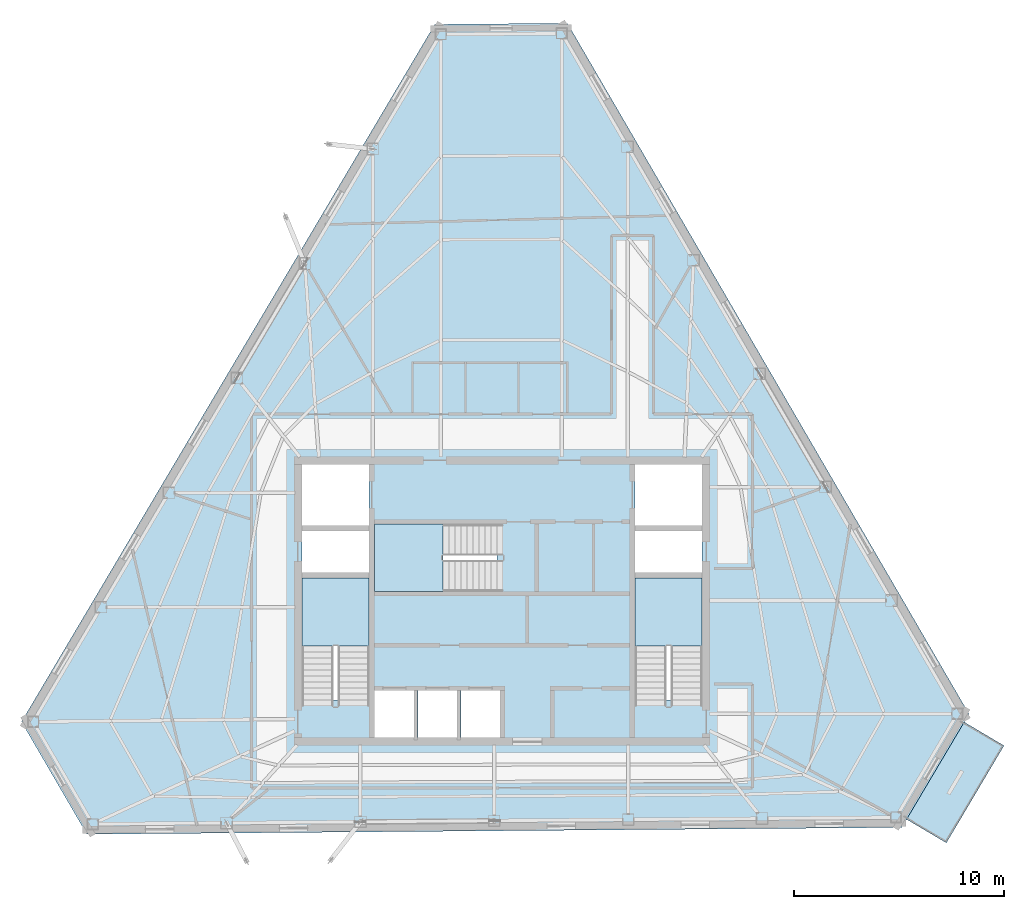
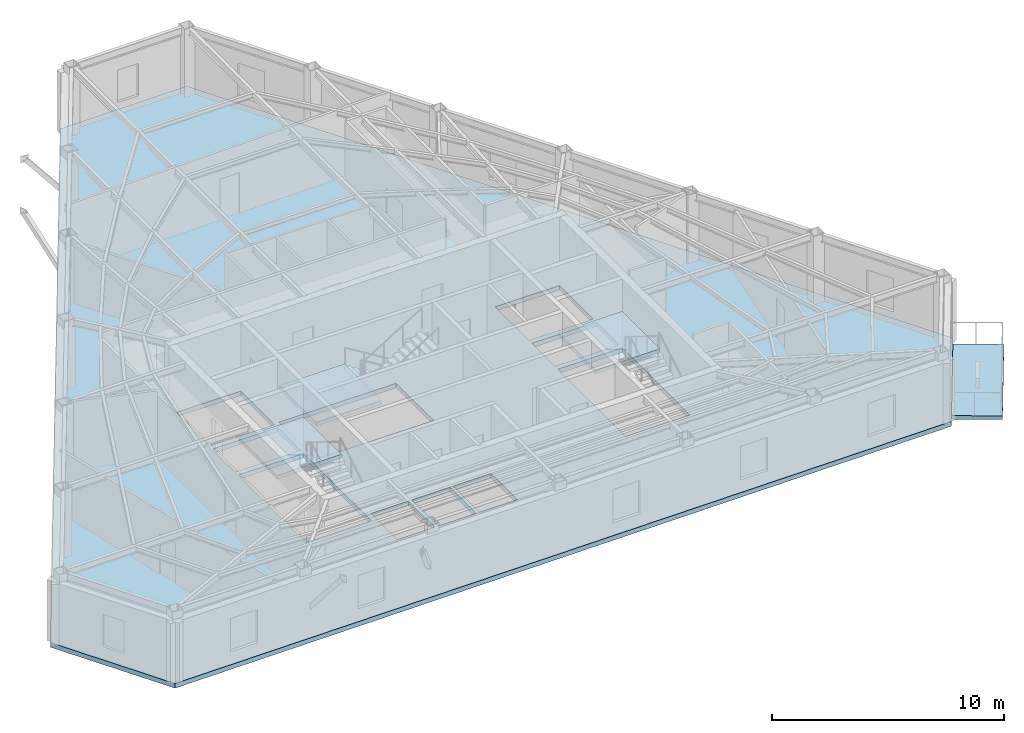
# One storey, part 3 of 10: 5 slabs, 3 elements without a shape of their own.
"""IFC4 building model written with IfcOpenShell, lengths in metres."""

from ifc_helpers import new_model, si_unit, direction, frame, origin, place, context, subcontext, project, spatial, polyline, outline, extrude, material, layer, layer_set, type_object, element, aggregate, save


model = new_model("IFC4")

# Units and contexts
model_context = context("Model", 3, precision=1e-05, world=origin(), true_north=direction((0.0, 1.0)))
body_context = subcontext(model_context, "Body", "Model", "MODEL_VIEW")
ifc_project = project(units=[si_unit("LENGTHUNIT", "METRE"), si_unit("AREAUNIT", "SQUARE_METRE"), si_unit("VOLUMEUNIT", "CUBIC_METRE"), si_unit("PLANEANGLEUNIT", "RADIAN"), si_unit("MASSUNIT", "GRAM", prefix="KILO")], contexts=[model_context])

# Site, building, storey
site_placement = place(None, origin())
site = spatial("IfcSite", under=ifc_project, at=site_placement, CompositionType="ELEMENT")
building_placement = place(site_placement, origin())
building = spatial("IfcBuilding", under=site, at=building_placement, Name="Kavelnor Concourse Tower", CompositionType="ELEMENT")
storey_placement = place(building_placement, frame((0.0, 0.0, 281.85009765625)))
storey = spatial("IfcBuildingStorey", under=building, at=storey_placement, Name="L71", CompositionType="ELEMENT", Elevation=281.85009765625)

# Stair, slab
ifc_material = material(Name="Concrete C40/50", Category="concrete")
stair_type = type_object("IfcStairType", Name="STR-CORE-1500", PredefinedType="HALF_TURN_STAIR", material=ifc_material)
stair_1_placement = place(storey_placement, origin())
stair_1 = element("IfcStair", 1, at=stair_1_placement, inside=storey, type_object=stair_type, Name="L71 ST1", PredefinedType="HALF_TURN_STAIR")
ifc_layer_1 = layer(ifc_material, 0.199951171875, Name="Concrete C40/50")
ifc_layer_set_1 = layer_set([ifc_layer_1], Name="Concrete C40/50")
slab_type_1 = type_object("IfcSlabType", Name="SLB-LANDING-200", PredefinedType="LANDING", material=ifc_layer_set_1)
slab_1_placement = place(storey_placement, frame((0.0, 0.0, 1.724853515625)))
slab_1 = element("IfcSlab", 2, at=slab_1_placement, type_object=slab_type_1, Name="ST1 landing 1", PredefinedType="LANDING", context=body_context, shape_type="SweptSolid", body=[
    extrude(outline(polyline([(31.679931640625, 13.949951171875), (31.679931640625, 17.199951171875), (28.47998046875, 17.199951171875), (28.47998046875, 13.949951171875), (31.679931640625, 13.949951171875)])), origin(), (0.0, 0.0, 1.0), 0.199951171875),
])
aggregate(stair_1, [slab_1])

stair_2_placement = place(storey_placement, origin())
stair_2 = element("IfcStair", 3, at=stair_2_placement, inside=storey, type_object=stair_type, Name="L71 ST2", PredefinedType="HALF_TURN_STAIR")
slab_2_placement = place(storey_placement, frame((0.0, 0.0, 1.724853515625)))
slab_2 = element("IfcSlab", 4, at=slab_2_placement, type_object=slab_type_1, Name="ST2 landing 1", PredefinedType="LANDING", context=body_context, shape_type="SweptSolid", body=[
    extrude(outline(polyline([(47.52001953125, 13.949951171875), (47.52001953125, 17.199951171875), (44.320068359375, 17.199951171875), (44.320068359375, 13.949951171875), (47.52001953125, 13.949951171875)])), origin(), (0.0, 0.0, 1.0), 0.199951171875),
])
aggregate(stair_2, [slab_2])

stair_3_placement = place(storey_placement, origin())
stair_3 = element("IfcStair", 5, at=stair_3_placement, inside=storey, type_object=stair_type, Name="L71 ST3", PredefinedType="HALF_TURN_STAIR")
slab_3_placement = place(storey_placement, frame((0.0, 0.0, 1.724853515625)))
slab_3 = element("IfcSlab", 6, at=slab_3_placement, type_object=slab_type_1, Name="ST3 landing 1", PredefinedType="LANDING", context=body_context, shape_type="SweptSolid", body=[
    extrude(outline(polyline([(35.18994140625, 19.760009765625), (31.93994140625, 19.760009765625), (31.93994140625, 16.56005859375), (35.18994140625, 16.56005859375), (35.18994140625, 19.760009765625)])), origin(), (0.0, 0.0, 1.0), 0.199951171875),
])
aggregate(stair_3, [slab_3])

# Slabs
ifc_layer_2 = layer(ifc_material, 0.239990234375, Name="Concrete C40/50")
ifc_layer_set_2 = layer_set([ifc_layer_2], Name="Concrete C40/50")
slab_type_2 = type_object("IfcSlabType", Name="SLB-OFFICE-240", PredefinedType="FLOOR", material=ifc_layer_set_2)
slab_4_placement = place(storey_placement, frame((0.0, 0.0, -0.239990234375)))
element("IfcSlab", 7, at=slab_4_placement, inside=storey, type_object=slab_type_2, Name="L71 Composite Structural Floor Slab", PredefinedType="FLOOR", context=body_context, shape_type="SweptSolid", body=[
    extrude(outline(polyline([(41.109619140625, 43.58251953125), (34.800048828125, 43.5302734375), (15.140869140625, 10.354736328125), (18.25048828125, 5.0068359375), (57.013916015625, 5.327392578125), (60.2138671875, 10.727294921875), (41.109619140625, 43.58251953125)]), holes=[polyline([(28.47998046875, 11.3798828125), (31.679931640625, 11.3798828125), (31.679931640625, 17.199951171875), (28.47998046875, 17.199951171875), (28.47998046875, 11.3798828125)]), polyline([(44.320068359375, 11.3798828125), (47.52001953125, 11.3798828125), (47.52001953125, 17.199951171875), (44.320068359375, 17.199951171875), (44.320068359375, 11.3798828125)]), polyline([(31.93994140625, 16.56005859375), (37.760009765625, 16.56005859375), (37.760009765625, 19.760009765625), (31.93994140625, 19.760009765625), (31.93994140625, 16.56005859375)]), polyline([(28.47998046875, 19.699951171875), (31.679931640625, 19.699951171875), (31.679931640625, 22.60009765625), (28.47998046875, 22.60009765625), (28.47998046875, 19.699951171875)]), polyline([(44.320068359375, 19.699951171875), (47.52001953125, 19.699951171875), (47.52001953125, 22.60009765625), (44.320068359375, 22.60009765625), (44.320068359375, 19.699951171875)]), polyline([(31.93994140625, 9.60009765625), (33.81005859375, 9.60009765625), (33.81005859375, 11.840087890625), (31.93994140625, 11.840087890625), (31.93994140625, 9.60009765625)]), polyline([(33.989990234375, 9.60009765625), (35.860107421875, 9.60009765625), (35.860107421875, 11.840087890625), (33.989990234375, 11.840087890625), (33.989990234375, 9.60009765625)]), polyline([(36.0400390625, 9.60009765625), (37.909912109375, 9.60009765625), (37.909912109375, 11.840087890625), (36.0400390625, 11.840087890625), (36.0400390625, 9.60009765625)]), polyline([(28.47998046875, 17.4599609375), (31.679931640625, 17.4599609375), (31.679931640625, 19.43994140625), (28.47998046875, 19.43994140625), (28.47998046875, 17.4599609375)]), polyline([(44.320068359375, 17.4599609375), (47.52001953125, 17.4599609375), (47.52001953125, 19.43994140625), (44.320068359375, 19.43994140625), (44.320068359375, 17.4599609375)])]), origin(), (0.0, 0.0, 1.0), 0.239990234375),
])
ifc_layer_3 = layer(ifc_material, 0.18994140625, Name="Concrete C40/50")
ifc_layer_set_3 = layer_set([ifc_layer_3], Name="Concrete C40/50")
slab_type_3 = type_object("IfcSlabType", Name="SLB-TERRACE-190", PredefinedType="FLOOR", material=ifc_layer_set_3)
slab_5_placement = place(storey_placement, frame((0.0, 0.0, -0.190185546875)))
element("IfcSlab", 8, at=slab_5_placement, inside=storey, type_object=slab_type_3, Name="L71 Spiralling Sky Terrace Slab", PredefinedType="FLOOR", context=body_context, shape_type="SweptSolid", body=[
    extrude(outline(polyline([(61.877197265625, 9.218505859375), (59.135986328125, 4.593017578125), (57.243408203125, 5.71435546875), (59.984619140625, 10.340087890625), (61.877197265625, 9.218505859375)])), origin(), (0.0, 0.0, 1.0), 0.190185546875),
])

save(model, "model.ifc")
